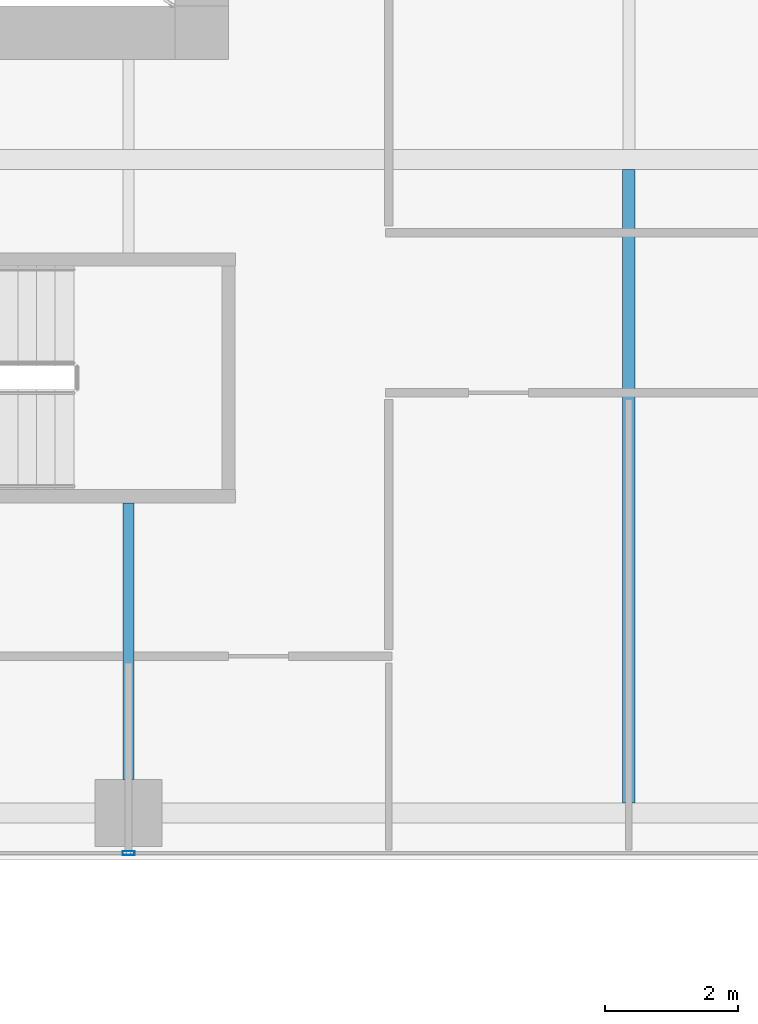
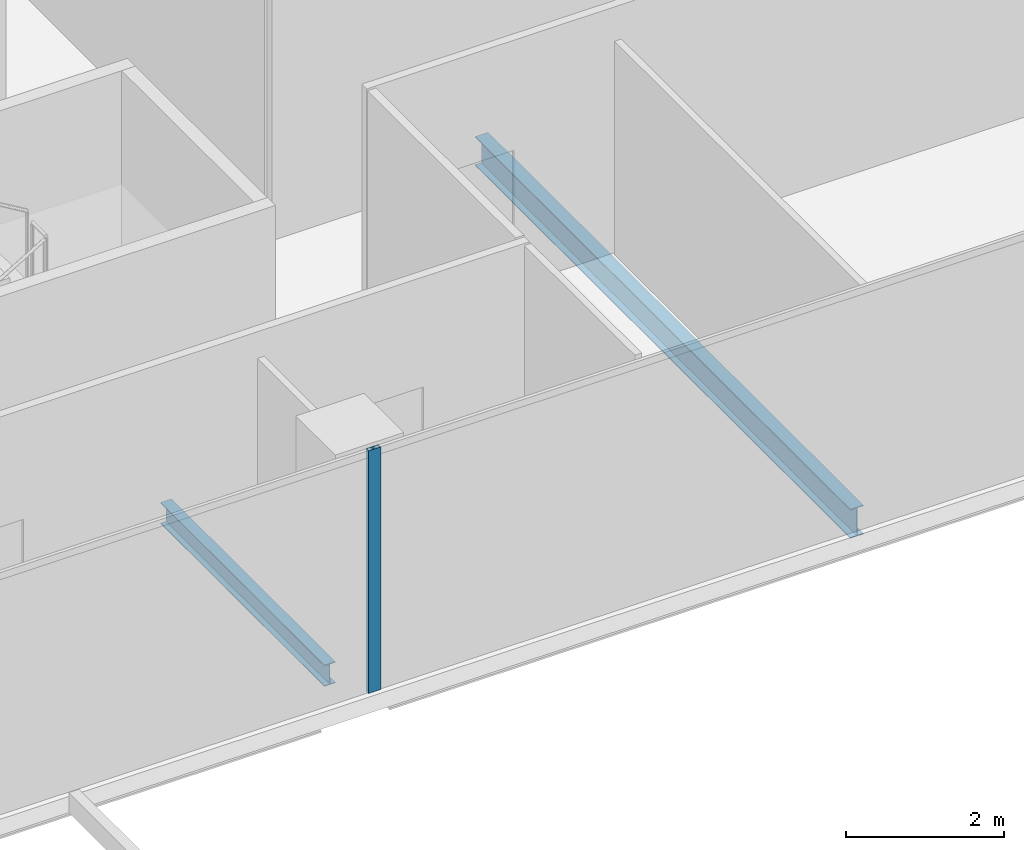
# One storey, part 6 of 40: 2 beams, 1 member, 1 element without a shape of its own.
"""IFC4 building model written with IfcOpenShell, lengths in metres."""

from ifc_helpers import new_model, si_unit, direction, frame, origin, origin_2d, place, context, subcontext, project, spatial, hollow_rectangle, i_section, extrude, source, transform, mapped, material, material_profile, profile_set, type_object, element, aggregate, save


model = new_model("IFC4")

# Units and contexts
model_context = context("Model", 3, precision=1e-05, world=origin(), true_north=direction((0.0, 1.0)))
body_context = subcontext(model_context, "Body", "Model", "MODEL_VIEW")
ifc_project = project(units=[si_unit("LENGTHUNIT", "METRE"), si_unit("AREAUNIT", "SQUARE_METRE"), si_unit("VOLUMEUNIT", "CUBIC_METRE"), si_unit("PLANEANGLEUNIT", "RADIAN"), si_unit("MASSUNIT", "GRAM", prefix="KILO")], contexts=[model_context])

# Site, building, storey
site_placement = place(None, origin())
site = spatial("IfcSite", under=ifc_project, at=site_placement, CompositionType="ELEMENT")
building_placement = place(site_placement, origin())
building = spatial("IfcBuilding", under=site, at=building_placement, Name="Khomas Fold Tower", CompositionType="ELEMENT")
storey_placement = place(building_placement, frame((0.0, 0.0, 192.699951171875)))
storey = spatial("IfcBuildingStorey", under=building, at=storey_placement, Name="L42", CompositionType="ELEMENT", Elevation=192.699951171875)

# Beams
ifc_material_1 = material(Name="Steel S355", Category="steel")
ifc_material_profile_1 = material_profile(ifc_material_1, i_section(OverallWidth=0.159912109375, OverallDepth=0.330078125, WebThickness=0.007568359375, FlangeThickness=0.011474609375, at=origin_2d()), Name="IPE 330")
ifc_profile_set_1 = profile_set([ifc_material_profile_1], Name="Steel S355")
beam_type_1 = type_object("IfcBeamType", Name="IPE 330 beam JB1", PredefinedType="BEAM", material=ifc_profile_set_1)
shared_shape_1 = source(origin(), body_context, "Body", "SweptSolid", [
    extrude(i_section(OverallWidth=0.159912109375, OverallDepth=0.330078125, WebThickness=0.007568359375, FlangeThickness=0.011474609375, at=origin_2d()), origin(), (0.0, 0.0, 1.0), 4.150146484375),
])
beam_1_placement = place(storey_placement, frame((19.5, 4.199951171875, -0.4150390625), z_axis=(0.0, 1.0, 0.0), x_axis=(-1.0, 0.0, 0.0)))
element("IfcBeam", 1, at=beam_1_placement, inside=storey, type_object=beam_type_1, Name="JB1", PredefinedType="BEAM", context=body_context, shape_type="MappedRepresentation", body=[
    mapped(shared_shape_1, transform((0.0, 0.0, 0.0))),
])
ifc_material_2 = material(Name="Steel S355", Category="steel")
ifc_material_profile_2 = material_profile(ifc_material_2, i_section(OverallWidth=0.18994140625, OverallDepth=0.449951171875, WebThickness=0.009521484375, FlangeThickness=0.0146484375, at=origin_2d()), Name="IPE 450")
ifc_profile_set_2 = profile_set([ifc_material_profile_2], Name="Steel S355")
beam_type_2 = type_object("IfcBeamType", Name="IPE 450 beam JB4", PredefinedType="BEAM", material=ifc_profile_set_2)
shared_shape_2 = source(origin(), body_context, "Body", "SweptSolid", [
    extrude(i_section(OverallWidth=0.18994140625, OverallDepth=0.449951171875, WebThickness=0.009521484375, FlangeThickness=0.0146484375, at=origin_2d()), origin(), (0.0, 0.0, 1.0), 9.5),
])
beam_2_placement = place(storey_placement, frame((27.0, 3.85009765625, -0.474853515625), z_axis=(0.0, 1.0, 0.0), x_axis=(-1.0, 0.0, 0.0)))
element("IfcBeam", 2, at=beam_2_placement, inside=storey, type_object=beam_type_2, Name="JB4", PredefinedType="BEAM", context=body_context, shape_type="MappedRepresentation", body=[
    mapped(shared_shape_2, transform((0.0, 0.0, 0.0))),
])

# Curtain wall, member
ifc_material_3 = material(Name="Aluminium framed double glazing", Category="aluminium")
curtain_wall_type = type_object("IfcCurtainWallType", Name="SK-Unitised clear-glass wall, office floors CW2", PredefinedType="NOTDEFINED", material=ifc_material_3)
curtain_wall_placement = place(storey_placement, origin())
curtain_wall = element("IfcCurtainWall", 3, at=curtain_wall_placement, inside=storey, type_object=curtain_wall_type, Name="CW2 run L42 00-0", PredefinedType="NOTDEFINED")
ifc_material_4 = material(Name="Aluminium", Category="aluminium")
ifc_material_profile_3 = material_profile(ifc_material_4, hollow_rectangle(XDim=0.06005859375, YDim=0.179931640625, WallThickness=0.00390625, at=origin_2d()), Name="SK-Unitised clear-glass wall, office floors mullion CW2-M")
ifc_profile_set_3 = profile_set([ifc_material_profile_3], Name="Aluminium")
member_type = type_object("IfcMemberType", Name="SK-Unitised clear-glass wall, office floors mullion CW2-M", PredefinedType="MULLION", material=ifc_profile_set_3)
shared_shape_3 = source(origin(), body_context, "Body", "SweptSolid", [
    extrude(hollow_rectangle(XDim=0.06005859375, YDim=0.179931640625, WallThickness=0.00390625, at=origin_2d()), origin(), (0.0, 0.0, 1.0), 3.75),
])
member_placement = place(storey_placement, frame((19.5, 3.10009765625, 0.0), z_axis=(0.0, 0.0, 1.0), x_axis=(0.0, 1.0, 0.0)))
member = element("IfcMember", 4, at=member_placement, type_object=member_type, Name="CW2 mullion 4", PredefinedType="MULLION", context=body_context, shape_type="MappedRepresentation", body=[
    mapped(shared_shape_3, transform((0.0, 0.0, 0.0))),
])
aggregate(curtain_wall, [member])

save(model, "model.ifc")
